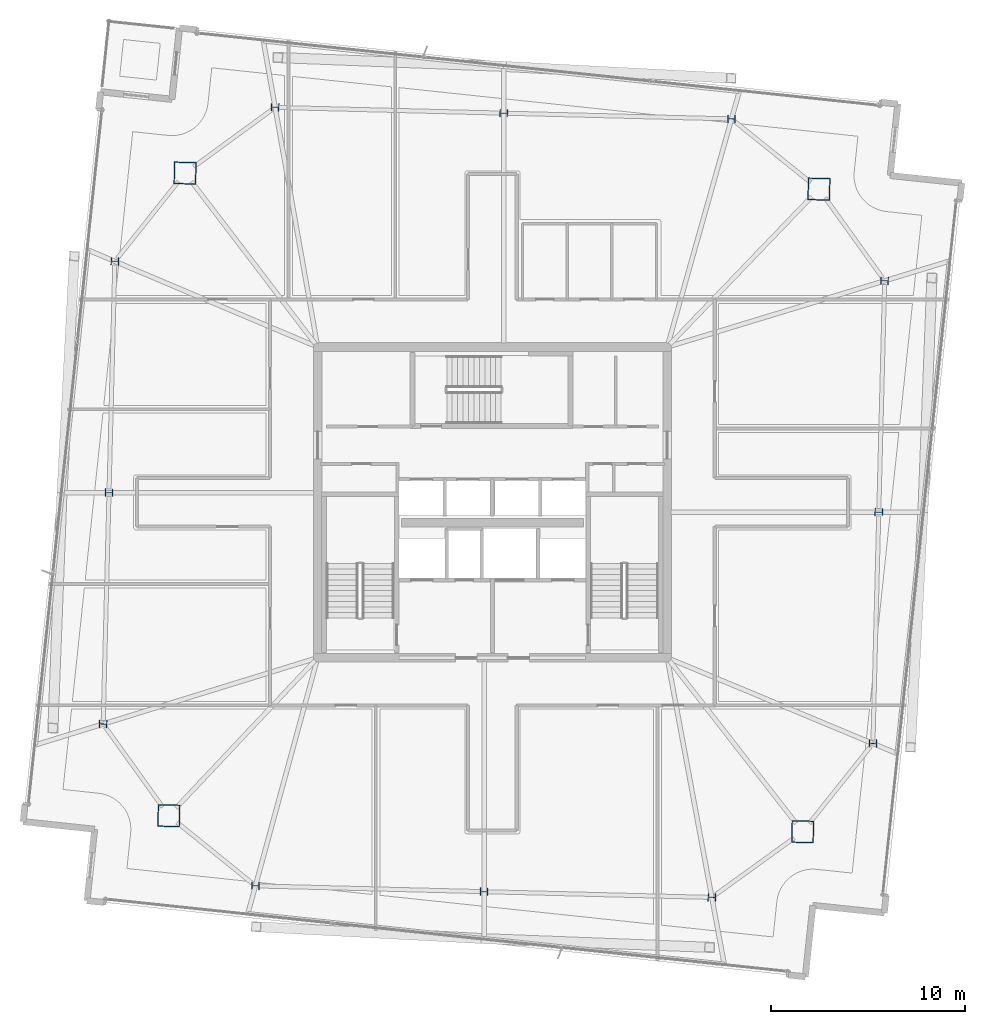
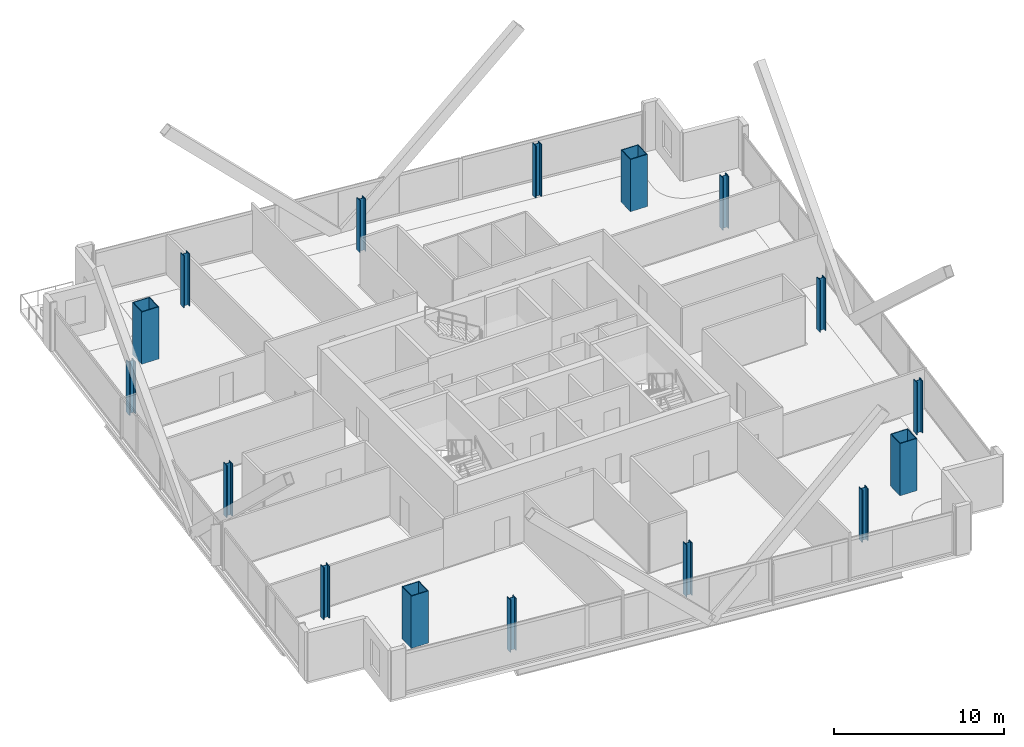
# One storey, part 1 of 24: 16 columns.
"""IFC4 building model written with IfcOpenShell, lengths in metres."""

from ifc_helpers import new_model, si_unit, direction, frame, origin, origin_2d, place, context, subcontext, project, spatial, hollow_rectangle, i_section, extrude, material, material_profile, profile_set, type_object, element, save


model = new_model("IFC4")

# Units and contexts
model_context = context("Model", 3, precision=1e-05, world=origin(), true_north=direction((0.0, 1.0)))
body_context = subcontext(model_context, "Body", "Model", "MODEL_VIEW")
ifc_project = project(units=[si_unit("LENGTHUNIT", "METRE"), si_unit("AREAUNIT", "SQUARE_METRE"), si_unit("VOLUMEUNIT", "CUBIC_METRE"), si_unit("PLANEANGLEUNIT", "RADIAN"), si_unit("MASSUNIT", "GRAM", prefix="KILO")], contexts=[model_context])

# Site, building, storey
site_placement = place(None, origin())
site = spatial("IfcSite", under=ifc_project, at=site_placement, CompositionType="ELEMENT")
building_placement = place(site_placement, origin())
building = spatial("IfcBuilding", under=site, at=building_placement, Name="Haldenkirk Collegiate Tower", CompositionType="ELEMENT")
storey_placement = place(building_placement, frame((0.0, 0.0, 310.199951171875)))
storey = spatial("IfcBuildingStorey", under=building, at=storey_placement, Name="L78", CompositionType="ELEMENT", Elevation=310.199951171875)

# Columns
ifc_material_1 = material(Name="Steel ASTM A913 Grade 65", Category="steel")
ifc_material_profile_1 = material_profile(ifc_material_1, i_section(OverallWidth=0.406005859375, OverallDepth=0.416015625, WebThickness=0.02978515625, FlangeThickness=0.048095703125, at=origin_2d()), Name="W14X257")
ifc_profile_set_1 = profile_set([ifc_material_profile_1], Name="Steel ASTM A913 Grade 65")
column_type_1 = type_object("IfcColumnType", Name="COL-INT-W14X257", PredefinedType="COLUMN", material=ifc_profile_set_1)
for number, where, z_axis, x_axis, name in (
    (1, (55.592041015625, 13.584228515625, 0.0), (0.0, 0.0, 1.0), (0.025304572866, 0.999679788028, 0.0), "L78 perimeter gravity column PC-S1"),
    (2, (55.8935546875, 25.496337890625, 0.0), (0.0, 0.0, 1.0), (0.025304572866, 0.999679788028, 0.0), "L78 perimeter gravity column PC-S2"),
    (3, (56.1953125, 37.40869140625, 0.0), (0.0, 0.0, 1.0), (0.025304572866, 0.999679788028, 0.0), "L78 perimeter gravity column PC-S3"),
    (4, (48.3115234375, 45.744873046875, 0.0), (0.0, 0.0, 1.0), (0.025304572866, 0.999679788028, 0.0), "L78 perimeter gravity column PC-E1"),
    (5, (36.582275390625, 46.041748046875, 0.0), (0.0, 0.0, 1.0), (0.025304572866, 0.999679788028, 0.0), "L78 perimeter gravity column PC-E2"),
    (6, (24.81103515625, 46.339599609375, 0.0), (0.0, 0.0, 1.0), (0.025304572866, 0.999679788028, 0.0), "L78 perimeter gravity column PC-E3"),
    (7, (16.557861328125, 38.411865234375, 0.0), (0.0, 0.0, 1.0), (0.025304572866, 0.999679788028, 0.0), "L78 perimeter gravity column PC-N1"),
    (8, (16.25634765625, 26.499755859375, 0.0), (0.0, 0.0, 1.0), (0.025304572866, 0.999679788028, 0.0), "L78 perimeter gravity column PC-N2"),
    (9, (15.954833984375, 14.587646484375, 0.0), (0.0, 0.0, 1.0), (0.025304572866, 0.999679788028, 0.0), "L78 perimeter gravity column PC-N3"),
    (10, (23.79638671875, 6.25244140625, 0.0), (0.0, 0.0, 1.0), (0.025304572866, 0.999679788028, 0.0), "L78 perimeter gravity column PC-W1"),
    (11, (35.567626953125, 5.95458984375, 0.0), (0.0, 0.0, 1.0), (0.025304572866, 0.999679788028, 0.0), "L78 perimeter gravity column PC-W2"),
    (12, (47.296875, 5.65771484375, 0.0), (0.0, 0.0, 1.0), (0.025304572866, 0.999679788028, 0.0), "L78 perimeter gravity column PC-W3"),
):
    element("IfcColumn", number, at=place(storey_placement, frame(where, z_axis=z_axis, x_axis=x_axis)), inside=storey, type_object=column_type_1, Name=name, PredefinedType="COLUMN", context=body_context, shape_type="SweptSolid", body=[
        extrude(i_section(OverallWidth=0.406005859375, OverallDepth=0.416015625, WebThickness=0.02978515625, FlangeThickness=0.048095703125, at=origin_2d()), origin(), (0.0, 0.0, 1.0), 3.75),
    ])
ifc_material_2 = material(Name="Steel ASTM A572 Grade 50", Category="steel")
ifc_material_profile_2 = material_profile(ifc_material_2, hollow_rectangle(XDim=1.14990234375, YDim=1.14990234375, WallThickness=0.050048828125, at=origin_2d()), Name="BOX1150X1150X50")
ifc_profile_set_2 = profile_set([ifc_material_profile_2], Name="Steel ASTM A572 Grade 50")
column_type_2 = type_object("IfcColumnType", Name="COL-MEGA-BOX1150X1150X50", PredefinedType="COLUMN", material=ifc_profile_set_2)
for number, where, z_axis, x_axis, name in (
    (13, (51.97607421875, 9.040283203125, 0.0), (0.0, 0.0, 1.0), (0.025304572866, 0.999679788028, 0.0), "L78 corner mega-column MC1"),
    (14, (52.8134765625, 42.129638671875, 0.0), (0.0, 0.0, 1.0), (0.025304572866, 0.999679788028, 0.0), "L78 corner mega-column MC2"),
    (15, (20.174072265625, 42.955810546875, 0.0), (0.0, 0.0, 1.0), (0.025304572866, 0.999679788028, 0.0), "L78 corner mega-column MC3"),
    (16, (19.33642578125, 9.866455078125, 0.0), (0.0, 0.0, 1.0), (0.025304572866, 0.999679788028, 0.0), "L78 corner mega-column MC4"),
):
    element("IfcColumn", number, at=place(storey_placement, frame(where, z_axis=z_axis, x_axis=x_axis)), inside=storey, type_object=column_type_2, Name=name, PredefinedType="COLUMN", context=body_context, shape_type="SweptSolid", body=[
        extrude(hollow_rectangle(XDim=1.14990234375, YDim=1.14990234375, WallThickness=0.050048828125, at=origin_2d()), origin(), (0.0, 0.0, 1.0), 3.75),
    ])

save(model, "model.ifc")
